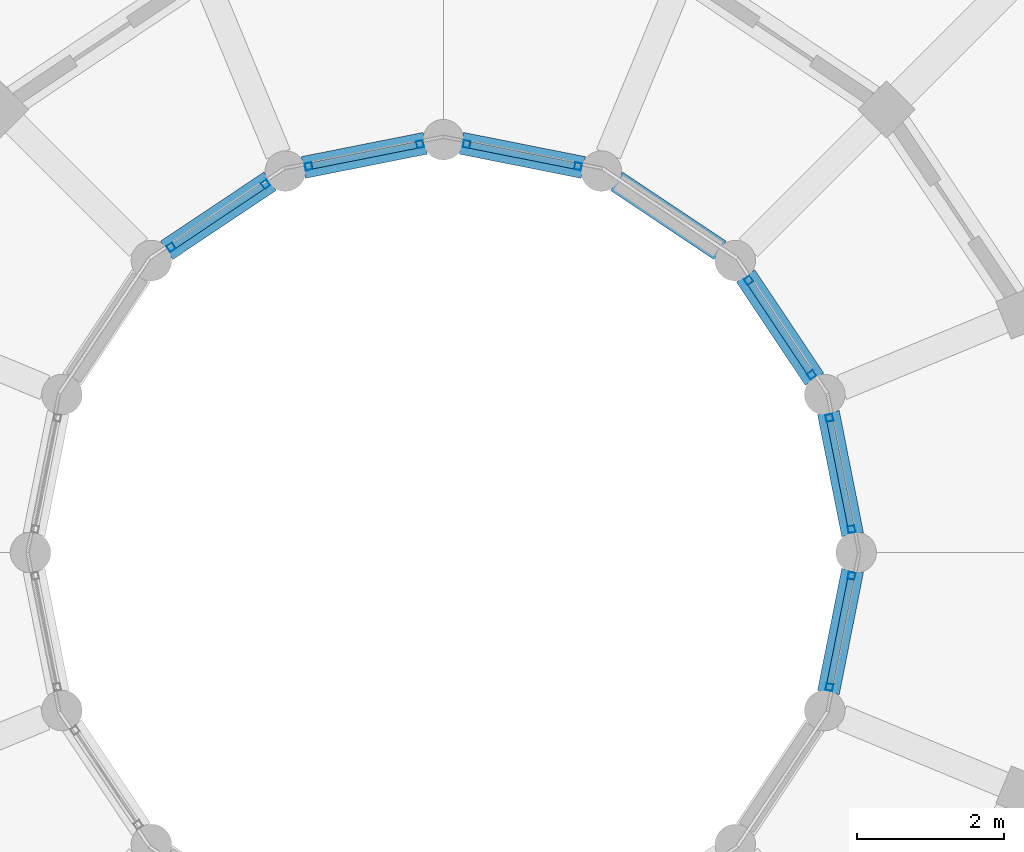
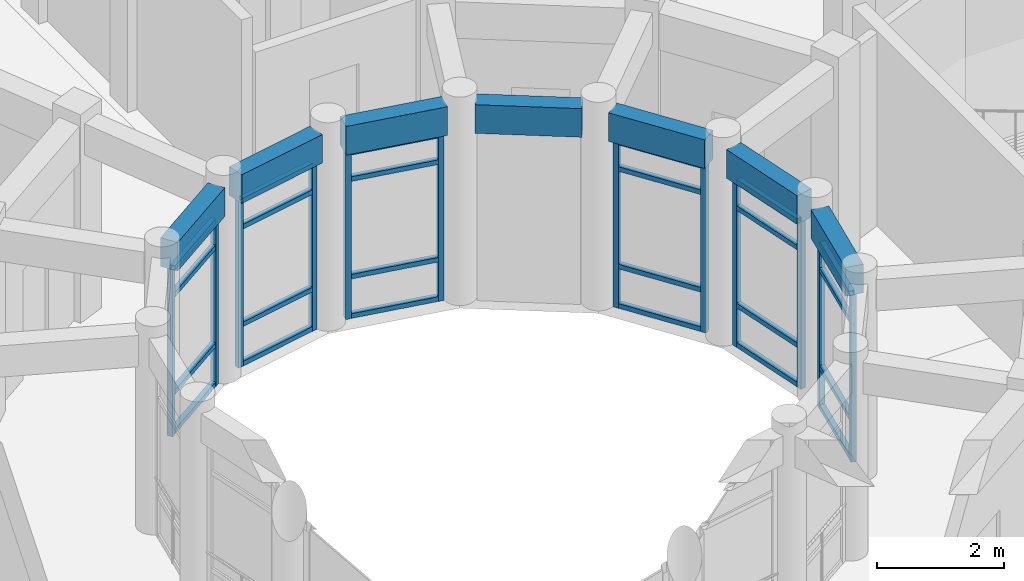
# One storey, part 15 of 159: 36 members, 7 beams, 6 elements without a shape of their own.
"""IFC4 building model written with IfcOpenShell, lengths in metres."""

from ifc_helpers import new_model, si_unit, direction, frame, origin, origin_2d, place, context, subcontext, project, spatial, rectangle, hollow_rectangle, extrude, material, material_profile, profile_set, type_object, element, aggregate, save


model = new_model("IFC4")

# Units and contexts
model_context = context("Model", 3, precision=1e-05, world=origin(), true_north=direction((0.0, 1.0)))
body_context = subcontext(model_context, "Body", "Model", "MODEL_VIEW")
ifc_project = project(units=[si_unit("LENGTHUNIT", "METRE"), si_unit("AREAUNIT", "SQUARE_METRE"), si_unit("VOLUMEUNIT", "CUBIC_METRE"), si_unit("PLANEANGLEUNIT", "RADIAN"), si_unit("MASSUNIT", "GRAM", prefix="KILO")], contexts=[model_context])

# Site, building, storey
site_placement = place(None, origin())
site = spatial("IfcSite", under=ifc_project, at=site_placement, CompositionType="ELEMENT")
building_placement = place(site_placement, origin())
building = spatial("IfcBuilding", under=site, at=building_placement, Name="Celadon Cloister-Ring School", CompositionType="ELEMENT")
storey_placement = place(building_placement, frame((0.0, 0.0, 4.5)))
storey = spatial("IfcBuildingStorey", under=building, at=storey_placement, Name="L01", CompositionType="ELEMENT", Elevation=4.5)

# Curtain wall, members
ifc_material_1 = material(Name="Aluminium EN AW-6063 T6", Category="aluminium")
curtain_wall_type = type_object("IfcCurtainWallType", Name="CW-04", PredefinedType="USERDEFINED", material=ifc_material_1)
curtain_wall_1_placement = place(storey_placement, origin())
curtain_wall_1 = element("IfcCurtainWall", 1, at=curtain_wall_1_placement, inside=storey, type_object=curtain_wall_type, Name="Curtain Wall 0139", ObjectType="CURTAIN WALL", PredefinedType="USERDEFINED")
ifc_material_2 = material(Name="Aluminium EN AW-6063 T6", Category="aluminium")
ifc_material_profile_1 = material_profile(ifc_material_2, hollow_rectangle(XDim=0.094970703125, YDim=0.094970703125, WallThickness=0.00390625, at=origin_2d()), Name="RHS95X95X4")
ifc_profile_set_1 = profile_set([ifc_material_profile_1], Name="Aluminium EN AW-6063 T6")
member_type_1 = type_object("IfcMemberType", Name="CM-02", PredefinedType="MULLION", material=ifc_profile_set_1)
member_1_placement = place(storey_placement, frame((25.73681640625, 20.316650390625, 0.0), z_axis=(0.0, 0.0, 1.0), x_axis=(-0.980885435464, -0.194586131301, 0.0)))
member_1 = element("IfcMember", 2, at=member_1_placement, type_object=member_type_1, Name="CW-04 mullion 1", PredefinedType="MULLION", context=body_context, shape_type="SweptSolid", body=[
    extrude(hollow_rectangle(XDim=0.094970703125, YDim=0.094970703125, WallThickness=0.00390625, at=origin_2d()), origin(), (0.0, 0.0, 1.0), 3.221923828125),
])
member_2_placement = place(storey_placement, frame((25.437255859375, 21.826416015625, 0.0), z_axis=(0.0, 0.0, 1.0), x_axis=(-0.980885435464, -0.194586131301, 0.0)))
member_2 = element("IfcMember", 3, at=member_2_placement, type_object=member_type_1, Name="CW-04 mullion 2", PredefinedType="MULLION", context=body_context, shape_type="SweptSolid", body=[
    extrude(hollow_rectangle(XDim=0.094970703125, YDim=0.094970703125, WallThickness=0.00390625, at=origin_2d()), origin(), (0.0, 0.0, 1.0), 3.221923828125),
])

curtain_wall_2_placement = place(storey_placement, origin())
curtain_wall_2 = element("IfcCurtainWall", 4, at=curtain_wall_2_placement, inside=storey, type_object=curtain_wall_type, Name="Curtain Wall 0140", ObjectType="CURTAIN WALL", PredefinedType="USERDEFINED")
member_3_placement = place(storey_placement, frame((25.194580078125, 22.411376953125, 0.0), z_axis=(0.0, 0.0, 1.0), x_axis=(-0.831485091394, -0.555547066224, 0.0)))
member_3 = element("IfcMember", 5, at=member_3_placement, type_object=member_type_1, Name="CW-04 mullion 1", PredefinedType="MULLION", context=body_context, shape_type="SweptSolid", body=[
    extrude(hollow_rectangle(XDim=0.094970703125, YDim=0.094970703125, WallThickness=0.00390625, at=origin_2d()), origin(), (0.0, 0.0, 1.0), 3.221923828125),
])
member_4_placement = place(storey_placement, frame((24.33935546875, 23.69140625, 0.0), z_axis=(0.0, 0.0, 1.0), x_axis=(-0.831485091394, -0.555547066224, 0.0)))
member_4 = element("IfcMember", 6, at=member_4_placement, type_object=member_type_1, Name="CW-04 mullion 2", PredefinedType="MULLION", context=body_context, shape_type="SweptSolid", body=[
    extrude(hollow_rectangle(XDim=0.094970703125, YDim=0.094970703125, WallThickness=0.00390625, at=origin_2d()), origin(), (0.0, 0.0, 1.0), 3.221923828125),
])

curtain_wall_3_placement = place(storey_placement, origin())
curtain_wall_3 = element("IfcCurtainWall", 7, at=curtain_wall_3_placement, inside=storey, type_object=curtain_wall_type, Name="Curtain Wall 0141", ObjectType="CURTAIN WALL", PredefinedType="USERDEFINED")
member_5_placement = place(storey_placement, frame((22.0263671875, 25.2373046875, 0.0), z_axis=(0.0, 0.0, 1.0), x_axis=(-0.194586131301, -0.980885435464, 0.0)))
member_5 = element("IfcMember", 8, at=member_5_placement, type_object=member_type_1, Name="CW-04 mullion 1", PredefinedType="MULLION", context=body_context, shape_type="SweptSolid", body=[
    extrude(hollow_rectangle(XDim=0.094970703125, YDim=0.094970703125, WallThickness=0.00390625, at=origin_2d()), origin(), (0.0, 0.0, 1.0), 3.221923828125),
])
member_6_placement = place(storey_placement, frame((20.5166015625, 25.536865234375, 0.0), z_axis=(0.0, 0.0, 1.0), x_axis=(-0.194586131301, -0.980885435464, 0.0)))
member_6 = element("IfcMember", 9, at=member_6_placement, type_object=member_type_1, Name="CW-04 mullion 2", PredefinedType="MULLION", context=body_context, shape_type="SweptSolid", body=[
    extrude(hollow_rectangle(XDim=0.094970703125, YDim=0.094970703125, WallThickness=0.00390625, at=origin_2d()), origin(), (0.0, 0.0, 1.0), 3.221923828125),
])

curtain_wall_4_placement = place(storey_placement, origin())
curtain_wall_4 = element("IfcCurtainWall", 10, at=curtain_wall_4_placement, inside=storey, type_object=curtain_wall_type, Name="Curtain Wall 0142", ObjectType="CURTAIN WALL", PredefinedType="USERDEFINED")
member_7_placement = place(storey_placement, frame((19.88330078125, 25.536865234375, 0.0), z_axis=(0.0, 0.0, 1.0), x_axis=(0.194586131301, -0.980885435464, 0.0)))
member_7 = element("IfcMember", 11, at=member_7_placement, type_object=member_type_1, Name="CW-04 mullion 1", PredefinedType="MULLION", context=body_context, shape_type="SweptSolid", body=[
    extrude(hollow_rectangle(XDim=0.094970703125, YDim=0.094970703125, WallThickness=0.00390625, at=origin_2d()), origin(), (0.0, 0.0, 1.0), 3.221923828125),
])
member_8_placement = place(storey_placement, frame((18.37353515625, 25.2373046875, 0.0), z_axis=(0.0, 0.0, 1.0), x_axis=(0.194586131301, -0.980885435464, 0.0)))
member_8 = element("IfcMember", 12, at=member_8_placement, type_object=member_type_1, Name="CW-04 mullion 2", PredefinedType="MULLION", context=body_context, shape_type="SweptSolid", body=[
    extrude(hollow_rectangle(XDim=0.094970703125, YDim=0.094970703125, WallThickness=0.00390625, at=origin_2d()), origin(), (0.0, 0.0, 1.0), 3.221923828125),
])

curtain_wall_5_placement = place(storey_placement, origin())
curtain_wall_5 = element("IfcCurtainWall", 13, at=curtain_wall_5_placement, inside=storey, type_object=curtain_wall_type, Name="Curtain Wall 0143", ObjectType="CURTAIN WALL", PredefinedType="USERDEFINED")
member_9_placement = place(storey_placement, frame((17.78857421875, 24.99462890625, 0.0), z_axis=(0.0, 0.0, 1.0), x_axis=(0.555547066224, -0.831485091394, 0.0)))
member_9 = element("IfcMember", 14, at=member_9_placement, type_object=member_type_1, Name="CW-04 mullion 1", PredefinedType="MULLION", context=body_context, shape_type="SweptSolid", body=[
    extrude(hollow_rectangle(XDim=0.094970703125, YDim=0.094970703125, WallThickness=0.00390625, at=origin_2d()), origin(), (0.0, 0.0, 1.0), 3.221923828125),
])
member_10_placement = place(storey_placement, frame((16.508544921875, 24.139404296875, 0.0), z_axis=(0.0, 0.0, 1.0), x_axis=(0.555547066224, -0.831485091394, 0.0)))
member_10 = element("IfcMember", 15, at=member_10_placement, type_object=member_type_1, Name="CW-04 mullion 2", PredefinedType="MULLION", context=body_context, shape_type="SweptSolid", body=[
    extrude(hollow_rectangle(XDim=0.094970703125, YDim=0.094970703125, WallThickness=0.00390625, at=origin_2d()), origin(), (0.0, 0.0, 1.0), 3.221923828125),
])

curtain_wall_6_placement = place(storey_placement, origin())
curtain_wall_6 = element("IfcCurtainWall", 16, at=curtain_wall_6_placement, inside=storey, type_object=curtain_wall_type, Name="Curtain Wall 0150", ObjectType="CURTAIN WALL", PredefinedType="USERDEFINED")
member_11_placement = place(storey_placement, frame((25.437255859375, 18.173583984375, 0.0), z_axis=(0.0, 0.0, 1.0), x_axis=(-0.980885435464, 0.194586131301, 0.0)))
member_11 = element("IfcMember", 17, at=member_11_placement, type_object=member_type_1, Name="CW-04 mullion 1", PredefinedType="MULLION", context=body_context, shape_type="SweptSolid", body=[
    extrude(hollow_rectangle(XDim=0.094970703125, YDim=0.094970703125, WallThickness=0.00390625, at=origin_2d()), origin(), (0.0, 0.0, 1.0), 3.221923828125),
])
member_12_placement = place(storey_placement, frame((25.73681640625, 19.683349609375, 0.0), z_axis=(0.0, 0.0, 1.0), x_axis=(-0.980885435464, 0.194586131301, 0.0)))
member_12 = element("IfcMember", 18, at=member_12_placement, type_object=member_type_1, Name="CW-04 mullion 2", PredefinedType="MULLION", context=body_context, shape_type="SweptSolid", body=[
    extrude(hollow_rectangle(XDim=0.094970703125, YDim=0.094970703125, WallThickness=0.00390625, at=origin_2d()), origin(), (0.0, 0.0, 1.0), 3.221923828125),
])

# Member
ifc_material_3 = material(Name="Aluminium EN AW-6063 T6", Category="aluminium")
ifc_material_profile_2 = material_profile(ifc_material_3, hollow_rectangle(XDim=0.090087890625, YDim=0.090087890625, WallThickness=0.00390625, at=origin_2d()), Name="RHS90X90X4")
ifc_profile_set_2 = profile_set([ifc_material_profile_2], Name="Aluminium EN AW-6063 T6")
member_type_2 = type_object("IfcMemberType", Name="CTM-02", PredefinedType="USERDEFINED", material=ifc_profile_set_2)
member_13_placement = place(storey_placement, frame((25.7275390625, 20.36328125, 0.044921875), z_axis=(-0.194587856315, 0.980885093257, 0.0), x_axis=(-0.980885093257, -0.194587856315, 0.0)))
member_13 = element("IfcMember", 19, at=member_13_placement, type_object=member_type_2, Name="CW-04 transom 1.1", ObjectType="TRANSOM", PredefinedType="USERDEFINED", context=body_context, shape_type="SweptSolid", body=[
    extrude(hollow_rectangle(XDim=0.090087890625, YDim=0.090087890625, WallThickness=0.00390625, at=origin_2d()), origin(), (0.0, 0.0, 1.0), 1.444091796875),
])

member_14_placement = place(storey_placement, frame((25.7275390625, 20.36328125, 0.800048828125), z_axis=(-0.194587856315, 0.980885093257, 0.0), x_axis=(-0.980885093257, -0.194587856315, 0.0)))
member_14 = element("IfcMember", 20, at=member_14_placement, type_object=member_type_2, Name="CW-04 transom 1.2", ObjectType="TRANSOM", PredefinedType="USERDEFINED", context=body_context, shape_type="SweptSolid", body=[
    extrude(hollow_rectangle(XDim=0.090087890625, YDim=0.090087890625, WallThickness=0.00390625, at=origin_2d()), origin(), (0.0, 0.0, 1.0), 1.444091796875),
])

member_15_placement = place(storey_placement, frame((25.7275390625, 20.36328125, 2.672119140625), z_axis=(-0.194587856315, 0.980885093257, 0.0), x_axis=(-0.980885093257, -0.194587856315, 0.0)))
member_15 = element("IfcMember", 21, at=member_15_placement, type_object=member_type_2, Name="CW-04 transom 1.3", ObjectType="TRANSOM", PredefinedType="USERDEFINED", context=body_context, shape_type="SweptSolid", body=[
    extrude(hollow_rectangle(XDim=0.090087890625, YDim=0.090087890625, WallThickness=0.00390625, at=origin_2d()), origin(), (0.0, 0.0, 1.0), 1.444091796875),
])

member_16_placement = place(storey_placement, frame((25.7275390625, 20.36328125, 3.177001953125), z_axis=(-0.194587856315, 0.980885093257, 0.0), x_axis=(-0.980885093257, -0.194587856315, 0.0)))
member_16 = element("IfcMember", 22, at=member_16_placement, type_object=member_type_2, Name="CW-04 transom 1.4", ObjectType="TRANSOM", PredefinedType="USERDEFINED", context=body_context, shape_type="SweptSolid", body=[
    extrude(hollow_rectangle(XDim=0.090087890625, YDim=0.090087890625, WallThickness=0.00390625, at=origin_2d()), origin(), (0.0, 0.0, 1.0), 1.444091796875),
])

aggregate(curtain_wall_1, [member_1, member_2, member_13, member_14, member_15, member_16])

member_17_placement = place(storey_placement, frame((25.168212890625, 22.450927734375, 0.044921875), z_axis=(-0.555518951009, 0.831503875559, 0.0), x_axis=(-0.831503875559, -0.555518951009, 0.0)))
member_17 = element("IfcMember", 23, at=member_17_placement, type_object=member_type_2, Name="CW-04 transom 1.1", ObjectType="TRANSOM", PredefinedType="USERDEFINED", context=body_context, shape_type="SweptSolid", body=[
    extrude(hollow_rectangle(XDim=0.090087890625, YDim=0.090087890625, WallThickness=0.00390625, at=origin_2d()), origin(), (0.0, 0.0, 1.0), 1.444580078125),
])

member_18_placement = place(storey_placement, frame((25.168212890625, 22.450927734375, 0.800048828125), z_axis=(-0.555518951009, 0.831503875559, 0.0), x_axis=(-0.831503875559, -0.555518951009, 0.0)))
member_18 = element("IfcMember", 24, at=member_18_placement, type_object=member_type_2, Name="CW-04 transom 1.2", ObjectType="TRANSOM", PredefinedType="USERDEFINED", context=body_context, shape_type="SweptSolid", body=[
    extrude(hollow_rectangle(XDim=0.090087890625, YDim=0.090087890625, WallThickness=0.00390625, at=origin_2d()), origin(), (0.0, 0.0, 1.0), 1.444580078125),
])

member_19_placement = place(storey_placement, frame((25.168212890625, 22.450927734375, 2.672119140625), z_axis=(-0.555518951009, 0.831503875559, 0.0), x_axis=(-0.831503875559, -0.555518951009, 0.0)))
member_19 = element("IfcMember", 25, at=member_19_placement, type_object=member_type_2, Name="CW-04 transom 1.3", ObjectType="TRANSOM", PredefinedType="USERDEFINED", context=body_context, shape_type="SweptSolid", body=[
    extrude(hollow_rectangle(XDim=0.090087890625, YDim=0.090087890625, WallThickness=0.00390625, at=origin_2d()), origin(), (0.0, 0.0, 1.0), 1.444580078125),
])

member_20_placement = place(storey_placement, frame((25.168212890625, 22.450927734375, 3.177001953125), z_axis=(-0.555518951009, 0.831503875559, 0.0), x_axis=(-0.831503875559, -0.555518951009, 0.0)))
member_20 = element("IfcMember", 26, at=member_20_placement, type_object=member_type_2, Name="CW-04 transom 1.4", ObjectType="TRANSOM", PredefinedType="USERDEFINED", context=body_context, shape_type="SweptSolid", body=[
    extrude(hollow_rectangle(XDim=0.090087890625, YDim=0.090087890625, WallThickness=0.00390625, at=origin_2d()), origin(), (0.0, 0.0, 1.0), 1.444580078125),
])

aggregate(curtain_wall_2, [member_3, member_4, member_17, member_18, member_19, member_20])

member_21_placement = place(storey_placement, frame((21.979736328125, 25.24658203125, 0.044921875), z_axis=(-0.980885093257, 0.194587856315, 0.0), x_axis=(-0.194587856315, -0.980885093257, 0.0)))
member_21 = element("IfcMember", 27, at=member_21_placement, type_object=member_type_2, Name="CW-04 transom 1.1", ObjectType="TRANSOM", PredefinedType="USERDEFINED", context=body_context, shape_type="SweptSolid", body=[
    extrude(hollow_rectangle(XDim=0.090087890625, YDim=0.090087890625, WallThickness=0.00390625, at=origin_2d()), origin(), (0.0, 0.0, 1.0), 1.444091796875),
])

member_22_placement = place(storey_placement, frame((21.979736328125, 25.24658203125, 0.800048828125), z_axis=(-0.980885093257, 0.194587856315, 0.0), x_axis=(-0.194587856315, -0.980885093257, 0.0)))
member_22 = element("IfcMember", 28, at=member_22_placement, type_object=member_type_2, Name="CW-04 transom 1.2", ObjectType="TRANSOM", PredefinedType="USERDEFINED", context=body_context, shape_type="SweptSolid", body=[
    extrude(hollow_rectangle(XDim=0.090087890625, YDim=0.090087890625, WallThickness=0.00390625, at=origin_2d()), origin(), (0.0, 0.0, 1.0), 1.444091796875),
])

member_23_placement = place(storey_placement, frame((21.979736328125, 25.24658203125, 2.672119140625), z_axis=(-0.980885093257, 0.194587856315, 0.0), x_axis=(-0.194587856315, -0.980885093257, 0.0)))
member_23 = element("IfcMember", 29, at=member_23_placement, type_object=member_type_2, Name="CW-04 transom 1.3", ObjectType="TRANSOM", PredefinedType="USERDEFINED", context=body_context, shape_type="SweptSolid", body=[
    extrude(hollow_rectangle(XDim=0.090087890625, YDim=0.090087890625, WallThickness=0.00390625, at=origin_2d()), origin(), (0.0, 0.0, 1.0), 1.444091796875),
])

member_24_placement = place(storey_placement, frame((21.979736328125, 25.24658203125, 3.177001953125), z_axis=(-0.980885093257, 0.194587856315, 0.0), x_axis=(-0.194587856315, -0.980885093257, 0.0)))
member_24 = element("IfcMember", 30, at=member_24_placement, type_object=member_type_2, Name="CW-04 transom 1.4", ObjectType="TRANSOM", PredefinedType="USERDEFINED", context=body_context, shape_type="SweptSolid", body=[
    extrude(hollow_rectangle(XDim=0.090087890625, YDim=0.090087890625, WallThickness=0.00390625, at=origin_2d()), origin(), (0.0, 0.0, 1.0), 1.444091796875),
])

aggregate(curtain_wall_3, [member_5, member_6, member_21, member_22, member_23, member_24])

member_25_placement = place(storey_placement, frame((19.8369140625, 25.527587890625, 0.044921875), z_axis=(-0.98089149302, -0.194555593394, 0.0), x_axis=(0.194555593394, -0.98089149302, 0.0)))
member_25 = element("IfcMember", 31, at=member_25_placement, type_object=member_type_2, Name="CW-04 transom 1.1", ObjectType="TRANSOM", PredefinedType="USERDEFINED", context=body_context, shape_type="SweptSolid", body=[
    extrude(hollow_rectangle(XDim=0.090087890625, YDim=0.090087890625, WallThickness=0.00390625, at=origin_2d()), origin(), (0.0, 0.0, 1.0), 1.4443359375),
])

member_26_placement = place(storey_placement, frame((19.8369140625, 25.527587890625, 0.800048828125), z_axis=(-0.98089149302, -0.194555593394, 0.0), x_axis=(0.194555593394, -0.98089149302, 0.0)))
member_26 = element("IfcMember", 32, at=member_26_placement, type_object=member_type_2, Name="CW-04 transom 1.2", ObjectType="TRANSOM", PredefinedType="USERDEFINED", context=body_context, shape_type="SweptSolid", body=[
    extrude(hollow_rectangle(XDim=0.090087890625, YDim=0.090087890625, WallThickness=0.00390625, at=origin_2d()), origin(), (0.0, 0.0, 1.0), 1.4443359375),
])

member_27_placement = place(storey_placement, frame((19.8369140625, 25.527587890625, 2.672119140625), z_axis=(-0.98089149302, -0.194555593394, 0.0), x_axis=(0.194555593394, -0.98089149302, 0.0)))
member_27 = element("IfcMember", 33, at=member_27_placement, type_object=member_type_2, Name="CW-04 transom 1.3", ObjectType="TRANSOM", PredefinedType="USERDEFINED", context=body_context, shape_type="SweptSolid", body=[
    extrude(hollow_rectangle(XDim=0.090087890625, YDim=0.090087890625, WallThickness=0.00390625, at=origin_2d()), origin(), (0.0, 0.0, 1.0), 1.4443359375),
])

member_28_placement = place(storey_placement, frame((19.8369140625, 25.527587890625, 3.177001953125), z_axis=(-0.98089149302, -0.194555593394, 0.0), x_axis=(0.194555593394, -0.98089149302, 0.0)))
member_28 = element("IfcMember", 34, at=member_28_placement, type_object=member_type_2, Name="CW-04 transom 1.4", ObjectType="TRANSOM", PredefinedType="USERDEFINED", context=body_context, shape_type="SweptSolid", body=[
    extrude(hollow_rectangle(XDim=0.090087890625, YDim=0.090087890625, WallThickness=0.00390625, at=origin_2d()), origin(), (0.0, 0.0, 1.0), 1.4443359375),
])

aggregate(curtain_wall_4, [member_7, member_8, member_25, member_26, member_27, member_28])

member_29_placement = place(storey_placement, frame((17.7490234375, 24.96826171875, 0.044921875), z_axis=(-0.831451709445, -0.555597025604, 0.0), x_axis=(0.555597025604, -0.831451709445, 0.0)))
member_29 = element("IfcMember", 35, at=member_29_placement, type_object=member_type_2, Name="CW-04 transom 1.1", ObjectType="TRANSOM", PredefinedType="USERDEFINED", context=body_context, shape_type="SweptSolid", body=[
    extrude(hollow_rectangle(XDim=0.090087890625, YDim=0.090087890625, WallThickness=0.00390625, at=origin_2d()), origin(), (0.0, 0.0, 1.0), 1.4443359375),
])

member_30_placement = place(storey_placement, frame((17.7490234375, 24.96826171875, 0.800048828125), z_axis=(-0.831451709445, -0.555597025604, 0.0), x_axis=(0.555597025604, -0.831451709445, 0.0)))
member_30 = element("IfcMember", 36, at=member_30_placement, type_object=member_type_2, Name="CW-04 transom 1.2", ObjectType="TRANSOM", PredefinedType="USERDEFINED", context=body_context, shape_type="SweptSolid", body=[
    extrude(hollow_rectangle(XDim=0.090087890625, YDim=0.090087890625, WallThickness=0.00390625, at=origin_2d()), origin(), (0.0, 0.0, 1.0), 1.4443359375),
])

member_31_placement = place(storey_placement, frame((17.7490234375, 24.96826171875, 2.672119140625), z_axis=(-0.831451709445, -0.555597025604, 0.0), x_axis=(0.555597025604, -0.831451709445, 0.0)))
member_31 = element("IfcMember", 37, at=member_31_placement, type_object=member_type_2, Name="CW-04 transom 1.3", ObjectType="TRANSOM", PredefinedType="USERDEFINED", context=body_context, shape_type="SweptSolid", body=[
    extrude(hollow_rectangle(XDim=0.090087890625, YDim=0.090087890625, WallThickness=0.00390625, at=origin_2d()), origin(), (0.0, 0.0, 1.0), 1.4443359375),
])

member_32_placement = place(storey_placement, frame((17.7490234375, 24.96826171875, 3.177001953125), z_axis=(-0.831451709445, -0.555597025604, 0.0), x_axis=(0.555597025604, -0.831451709445, 0.0)))
member_32 = element("IfcMember", 38, at=member_32_placement, type_object=member_type_2, Name="CW-04 transom 1.4", ObjectType="TRANSOM", PredefinedType="USERDEFINED", context=body_context, shape_type="SweptSolid", body=[
    extrude(hollow_rectangle(XDim=0.090087890625, YDim=0.090087890625, WallThickness=0.00390625, at=origin_2d()), origin(), (0.0, 0.0, 1.0), 1.4443359375),
])

aggregate(curtain_wall_5, [member_9, member_10, member_29, member_30, member_31, member_32])

member_33_placement = place(storey_placement, frame((25.446533203125, 18.22021484375, 0.044921875), z_axis=(0.194587856315, 0.980885093257, 0.0), x_axis=(-0.980885093257, 0.194587856315, 0.0)))
member_33 = element("IfcMember", 39, at=member_33_placement, type_object=member_type_2, Name="CW-04 transom 1.1", ObjectType="TRANSOM", PredefinedType="USERDEFINED", context=body_context, shape_type="SweptSolid", body=[
    extrude(hollow_rectangle(XDim=0.090087890625, YDim=0.090087890625, WallThickness=0.00390625, at=origin_2d()), origin(), (0.0, 0.0, 1.0), 1.444091796875),
])

member_34_placement = place(storey_placement, frame((25.446533203125, 18.22021484375, 0.800048828125), z_axis=(0.194587856315, 0.980885093257, 0.0), x_axis=(-0.980885093257, 0.194587856315, 0.0)))
member_34 = element("IfcMember", 40, at=member_34_placement, type_object=member_type_2, Name="CW-04 transom 1.2", ObjectType="TRANSOM", PredefinedType="USERDEFINED", context=body_context, shape_type="SweptSolid", body=[
    extrude(hollow_rectangle(XDim=0.090087890625, YDim=0.090087890625, WallThickness=0.00390625, at=origin_2d()), origin(), (0.0, 0.0, 1.0), 1.444091796875),
])

member_35_placement = place(storey_placement, frame((25.446533203125, 18.22021484375, 2.672119140625), z_axis=(0.194587856315, 0.980885093257, 0.0), x_axis=(-0.980885093257, 0.194587856315, 0.0)))
member_35 = element("IfcMember", 41, at=member_35_placement, type_object=member_type_2, Name="CW-04 transom 1.3", ObjectType="TRANSOM", PredefinedType="USERDEFINED", context=body_context, shape_type="SweptSolid", body=[
    extrude(hollow_rectangle(XDim=0.090087890625, YDim=0.090087890625, WallThickness=0.00390625, at=origin_2d()), origin(), (0.0, 0.0, 1.0), 1.444091796875),
])

member_36_placement = place(storey_placement, frame((25.446533203125, 18.22021484375, 3.177001953125), z_axis=(0.194587856315, 0.980885093257, 0.0), x_axis=(-0.980885093257, 0.194587856315, 0.0)))
member_36 = element("IfcMember", 42, at=member_36_placement, type_object=member_type_2, Name="CW-04 transom 1.4", ObjectType="TRANSOM", PredefinedType="USERDEFINED", context=body_context, shape_type="SweptSolid", body=[
    extrude(hollow_rectangle(XDim=0.090087890625, YDim=0.090087890625, WallThickness=0.00390625, at=origin_2d()), origin(), (0.0, 0.0, 1.0), 1.444091796875),
])

aggregate(curtain_wall_6, [member_11, member_12, member_33, member_34, member_35, member_36])

# Beams
ifc_material_4 = material(Name="Concrete C35/45", Category="concrete")
ifc_material_profile_3 = material_profile(ifc_material_4, rectangle(XDim=0.300048828125, YDim=0.550048828125, at=origin_2d()), Name="RC300X550")
ifc_profile_set_3 = profile_set([ifc_material_profile_3], Name="Concrete C35/45")
beam_type = type_object("IfcBeamType", Name="SP-02", PredefinedType="SPANDREL", material=ifc_profile_set_3)
beam_1_placement = place(storey_placement, frame((25.7509765625, 20.2451171875, 3.5048828125), z_axis=(-0.194583435458, 0.980885970256, 0.0), x_axis=(-0.980885970256, -0.194583435458, 0.0)))
element("IfcBeam", 43, at=beam_1_placement, inside=storey, type_object=beam_type, Name="Beam 0949", PredefinedType="SPANDREL", context=body_context, shape_type="SweptSolid", body=[
    extrude(rectangle(XDim=0.300048828125, YDim=0.550048828125, at=origin_2d()), origin(), (0.0, 0.0, 1.0), 1.68505859375),
])
beam_2_placement = place(storey_placement, frame((25.235107421875, 22.35107421875, 3.5048828125), z_axis=(-0.555569328961, 0.831470216374, 0.0), x_axis=(-0.831470216374, -0.555569328961, 0.0)))
element("IfcBeam", 44, at=beam_2_placement, inside=storey, type_object=beam_type, Name="Beam 0952", PredefinedType="SPANDREL", context=body_context, shape_type="SweptSolid", body=[
    extrude(rectangle(XDim=0.300048828125, YDim=0.550048828125, at=origin_2d()), origin(), (0.0, 0.0, 1.0), 1.684814453125),
])
beam_3_placement = place(storey_placement, frame((23.951904296875, 24.09912109375, 3.5048828125), z_axis=(-0.831537153477, 0.555469137204, 0.0), x_axis=(-0.555469137204, -0.831537153477, 0.0)))
element("IfcBeam", 45, at=beam_3_placement, inside=storey, type_object=beam_type, Name="Beam 0955", PredefinedType="SPANDREL", context=body_context, shape_type="SweptSolid", body=[
    extrude(rectangle(XDim=0.300048828125, YDim=0.550048828125, at=origin_2d()), origin(), (0.0, 0.0, 1.0), 1.6845703125),
])
beam_4_placement = place(storey_placement, frame((22.097900390625, 25.222900390625, 3.5048828125), z_axis=(-0.980858307367, 0.194722830887, 0.0), x_axis=(-0.194722830887, -0.980858307367, 0.0)))
element("IfcBeam", 46, at=beam_4_placement, inside=storey, type_object=beam_type, Name="Beam 0958", PredefinedType="SPANDREL", context=body_context, shape_type="SweptSolid", body=[
    extrude(rectangle(XDim=0.300048828125, YDim=0.550048828125, at=origin_2d()), origin(), (0.0, 0.0, 1.0), 1.68505859375),
])
beam_5_placement = place(storey_placement, frame((19.955078125, 25.551025390625, 3.5048828125), z_axis=(-0.980863799725, -0.194695162728, 0.0), x_axis=(0.194695162728, -0.980863799725, 0.0)))
element("IfcBeam", 47, at=beam_5_placement, inside=storey, type_object=beam_type, Name="Beam 0960", PredefinedType="SPANDREL", context=body_context, shape_type="SweptSolid", body=[
    extrude(rectangle(XDim=0.300048828125, YDim=0.550048828125, at=origin_2d()), origin(), (0.0, 0.0, 1.0), 1.685302734375),
])
beam_6_placement = place(storey_placement, frame((17.84912109375, 25.034912109375, 3.5048828125), z_axis=(-0.831581859135, -0.555402207016, 0.0), x_axis=(0.555402207016, -0.831581859135, 0.0)))
element("IfcBeam", 48, at=beam_6_placement, inside=storey, type_object=beam_type, Name="Beam 0963", PredefinedType="SPANDREL", context=body_context, shape_type="SweptSolid", body=[
    extrude(rectangle(XDim=0.300048828125, YDim=0.550048828125, at=origin_2d()), origin(), (0.0, 0.0, 1.0), 1.684814453125),
])
beam_7_placement = place(storey_placement, frame((25.423095703125, 18.10205078125, 3.5048828125), z_axis=(0.194583435458, 0.980885970256, 0.0), x_axis=(-0.980885970256, 0.194583435458, 0.0)))
element("IfcBeam", 49, at=beam_7_placement, inside=storey, type_object=beam_type, Name="Beam 0997", PredefinedType="SPANDREL", context=body_context, shape_type="SweptSolid", body=[
    extrude(rectangle(XDim=0.300048828125, YDim=0.550048828125, at=origin_2d()), origin(), (0.0, 0.0, 1.0), 1.68505859375),
])

save(model, "model.ifc")
